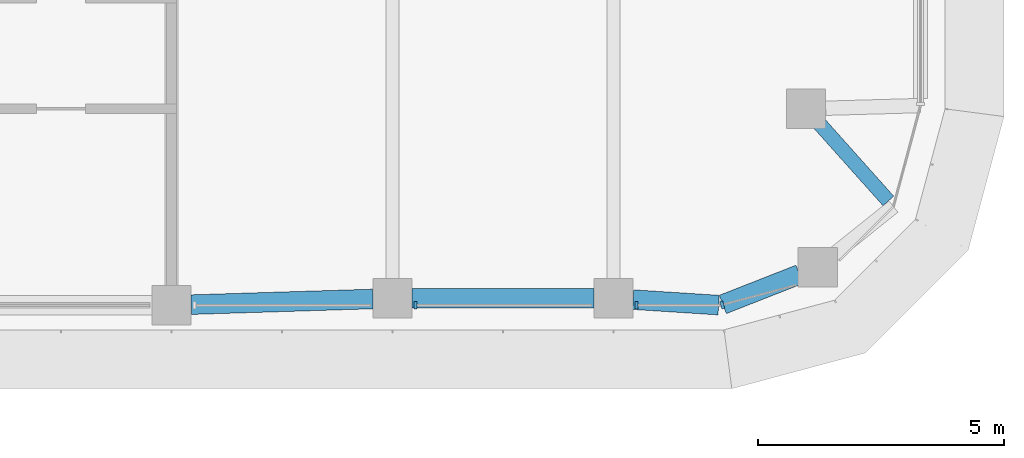
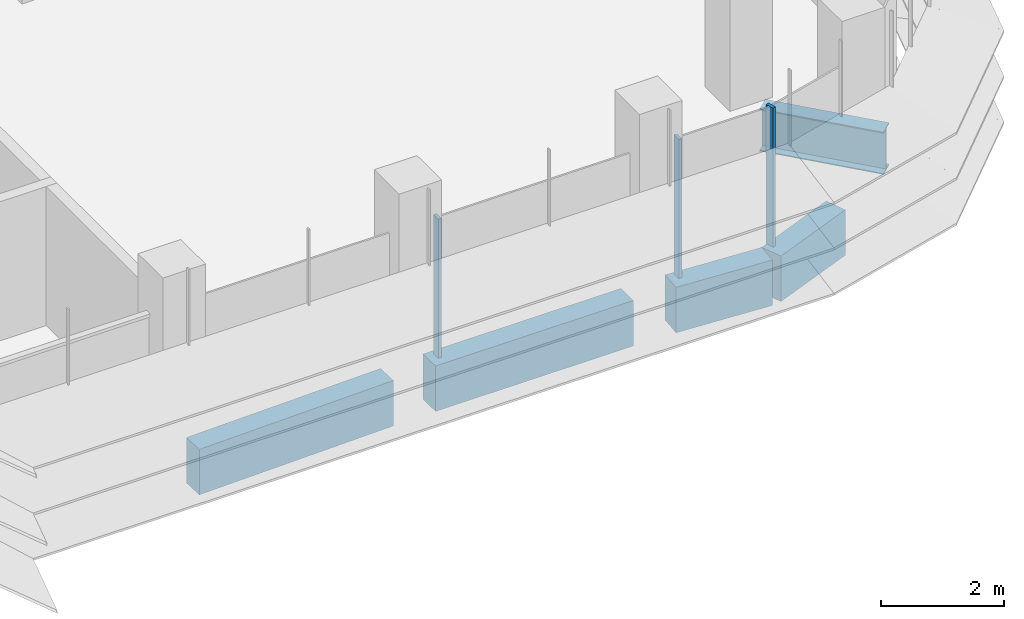
# One storey, part 5 of 19: 5 beams, 3 members, 2 elements without a shape of their own.
"""IFC4 building model written with IfcOpenShell, lengths in metres."""

from ifc_helpers import new_model, si_unit, direction, frame, origin, origin_2d, place, context, subcontext, project, spatial, polyline, rectangle, i_section, outline, extrude, source, transform, mapped, material, material_profile, profile_set, type_object, element, aggregate, save


model = new_model("IFC4")

# Units and contexts
model_context = context("Model", 3, precision=1e-05, world=origin(), true_north=direction((0.0, 1.0)))
body_context = subcontext(model_context, "Body", "Model", "MODEL_VIEW")
ifc_project = project(units=[si_unit("LENGTHUNIT", "METRE"), si_unit("AREAUNIT", "SQUARE_METRE"), si_unit("VOLUMEUNIT", "CUBIC_METRE"), si_unit("PLANEANGLEUNIT", "RADIAN"), si_unit("MASSUNIT", "GRAM", prefix="KILO")], contexts=[model_context])

# Site, building, storey
site_placement = place(None, origin())
site = spatial("IfcSite", under=ifc_project, at=site_placement, CompositionType="ELEMENT")
building_placement = place(site_placement, origin())
building = spatial("IfcBuilding", under=site, at=building_placement, Name="Zarbagh Exchange Tower", CompositionType="ELEMENT")
storey_placement = place(building_placement, frame((0.0, 0.0, 160.0)))
storey = spatial("IfcBuildingStorey", under=building, at=storey_placement, Name="L38", CompositionType="ELEMENT", Elevation=160.0)

# Beams
ifc_material_1 = material(Name="Steel ASTM A992 Gr 50", Category="steel")
ifc_material_profile_1 = material_profile(ifc_material_1, i_section(OverallWidth=0.2919921875, OverallDepth=0.835693359375, WebThickness=0.013916015625, FlangeThickness=0.018798828125, at=origin_2d()), Name="W33X118")
ifc_profile_set_1 = profile_set([ifc_material_profile_1], Name="Steel ASTM A992 Gr 50")
beam_type_1 = type_object("IfcBeamType", Name="Floor girder W33X118", PredefinedType="BEAM", material=ifc_profile_set_1)
beam_1_placement = place(storey_placement, frame((28.9365234375, -2.54833984375, -0.56787109375), z_axis=(0.666238158503, -0.745739040251, 0.0), x_axis=(0.745739040251, 0.666238158503, 0.0)))
element("IfcBeam", 1, at=beam_1_placement, inside=storey, type_object=beam_type_1, Name="Steel girder", PredefinedType="BEAM", context=body_context, shape_type="SweptSolid", body=[
    extrude(i_section(OverallWidth=0.2919921875, OverallDepth=0.835693359375, WebThickness=0.013916015625, FlangeThickness=0.018798828125, at=origin_2d()), origin(), (0.0, 0.0, 1.0), 2.115966796875),
])
ifc_material_2 = material(Name="Concrete C50/60", Category="concrete")
ifc_material_profile_2 = material_profile(ifc_material_2, rectangle(XDim=0.39990234375, YDim=0.89990234375, at=origin_2d()), Name="RC spandrel beam 400 x 900 C50/60")
ifc_profile_set_2 = profile_set([ifc_material_profile_2], Name="Concrete C50/60")
beam_type_2 = type_object("IfcBeamType", Name="RC spandrel beam 400 x 900 C50/60", PredefinedType="SPANDREL", material=ifc_profile_set_2)
beam_2_placement = place(storey_placement, frame((28.53564453125, -5.62109375, -0.60009765625), z_axis=(-0.930818758612, -0.36548110569, 0.0), x_axis=(0.36548110569, -0.930818758612, 0.0)))
element("IfcBeam", 2, at=beam_2_placement, inside=storey, type_object=beam_type_2, Name="RC spandrel beam", PredefinedType="SPANDREL", context=body_context, shape_type="SweptSolid", body=[
    extrude(rectangle(XDim=0.39990234375, YDim=0.89990234375, at=origin_2d()), origin(), (0.0, 0.0, 1.0), 1.676025390625),
])
beam_3_placement = place(storey_placement, frame((26.8896484375, -6.247314453125, -0.60009765625), z_axis=(-0.997942679773, 0.064112462805, 0.0), x_axis=(-0.064112462805, -0.997942679773, 0.0)))
element("IfcBeam", 3, at=beam_3_placement, inside=storey, type_object=beam_type_2, Name="RC spandrel beam", PredefinedType="SPANDREL", context=body_context, shape_type="SweptSolid", body=[
    extrude(rectangle(XDim=0.39990234375, YDim=0.89990234375, at=origin_2d()), origin(), (0.0, 0.0, 1.0), 1.744140625),
])
beam_4_placement = place(storey_placement, frame((24.35009765625, -6.110107421875, -0.60009765625), z_axis=(-1.0, 0.0, 0.0), x_axis=(0.0, -1.0, 0.0)))
element("IfcBeam", 4, at=beam_4_placement, inside=storey, type_object=beam_type_2, Name="RC spandrel beam", PredefinedType="SPANDREL", context=body_context, shape_type="SweptSolid", body=[
    extrude(rectangle(XDim=0.39990234375, YDim=0.89990234375, at=origin_2d()), origin(), (0.0, 0.0, 1.0), 3.7001953125),
])
beam_5_placement = place(storey_placement, frame((19.85009765625, -6.122314453125, -0.60009765625), z_axis=(-0.999515416033, -0.031127690444, 0.0), x_axis=(0.031127690444, -0.999515416033, 0.0)))
element("IfcBeam", 5, at=beam_5_placement, inside=storey, type_object=beam_type_2, Name="RC spandrel beam", PredefinedType="SPANDREL", context=body_context, shape_type="SweptSolid", body=[
    extrude(rectangle(XDim=0.39990234375, YDim=0.89990234375, at=origin_2d()), origin(), (0.0, 0.0, 1.0), 3.701904296875),
])

# Curtain wall, members
ifc_material_3 = material(Name="Anodised aluminium frame and glazing", Category="aluminium")
curtain_wall_type = type_object("IfcCurtainWallType", Name="CWB Ribbon glazing, upper zones", PredefinedType="NOTDEFINED", material=ifc_material_3)
curtain_wall_1_placement = place(storey_placement, origin())
curtain_wall_1 = element("IfcCurtainWall", 6, at=curtain_wall_1_placement, inside=storey, type_object=curtain_wall_type, Name="CWB08 curtain wall", PredefinedType="NOTDEFINED")
ifc_material_4 = material(Name="Anodised aluminium frame", Category="aluminium")
member_type = type_object("IfcMemberType", Name="MUB Mullion, anodised aluminium frame", PredefinedType="MULLION", material=ifc_material_4)
shared_shape = source(origin(), body_context, "Body", "SweptSolid", [
    extrude(outline(polyline([(0.0, -0.080078125), (0.06005859375, -0.080078125), (0.06005859375, 0.080078125), (0.0, 0.080078125), (0.0, -0.080078125)])), origin(), (0.0, 0.0, 1.0), 2.75),
])
placement = place(storey_placement, origin())
member_1 = element("IfcMember", 7, at=placement, type_object=member_type, Name="CWB08 mullion 3.1", PredefinedType="MULLION", context=body_context, shape_type="MappedRepresentation", body=[
    mapped(shared_shape, transform((20.68994140625, -6.25, 0.0), x_axis=(1.0, 0.0, 0.0), y_axis=(0.0, 1.0, 0.0), z_axis=(0.0, 0.0, 1.0))),
])
member_2 = element("IfcMember", 8, at=placement, type_object=member_type, Name="CWB08 mullion 4.1", PredefinedType="MULLION", context=body_context, shape_type="MappedRepresentation", body=[
    mapped(shared_shape, transform((25.18994140625, -6.25, 0.0), x_axis=(1.0, 0.0, 0.0), y_axis=(0.0, 1.0, 0.0), z_axis=(0.0, 0.0, 1.0))),
])
aggregate(curtain_wall_1, [member_1, member_2])

# Curtain wall, member
curtain_wall_2_placement = place(storey_placement, origin())
curtain_wall_2 = element("IfcCurtainWall", 9, at=curtain_wall_2_placement, inside=storey, type_object=curtain_wall_type, Name="CWB09 curtain wall", PredefinedType="NOTDEFINED")
member_3 = element("IfcMember", 10, at=placement, type_object=member_type, Name="CWB09 mullion 1.1", PredefinedType="MULLION", context=body_context, shape_type="MappedRepresentation", body=[
    mapped(shared_shape, transform((26.93408203125, -6.25, 0.0), x_axis=(0.965924289636, 0.258824779902, 0.0), y_axis=(-0.258824779902, 0.965924289636, 0.0), z_axis=(0.0, 0.0, 1.0))),
])
aggregate(curtain_wall_2, [member_3])

save(model, "model.ifc")
